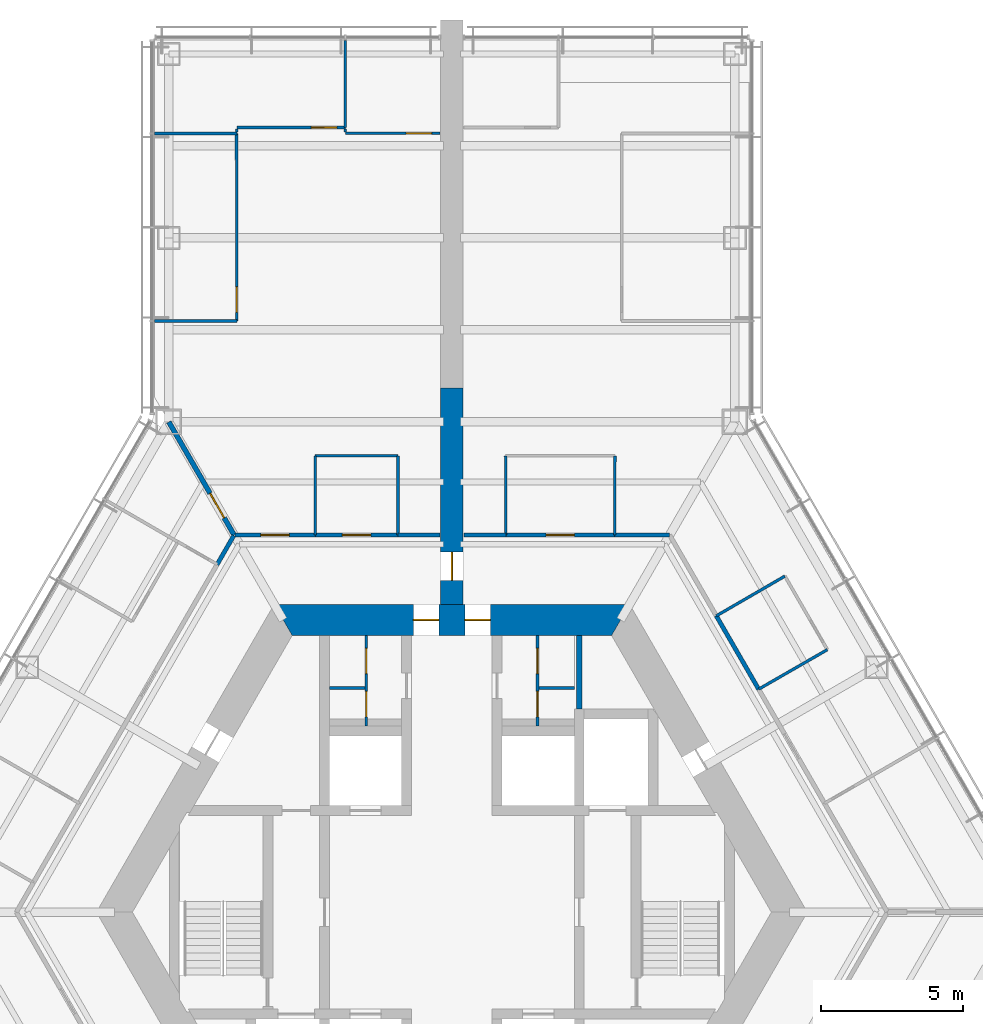
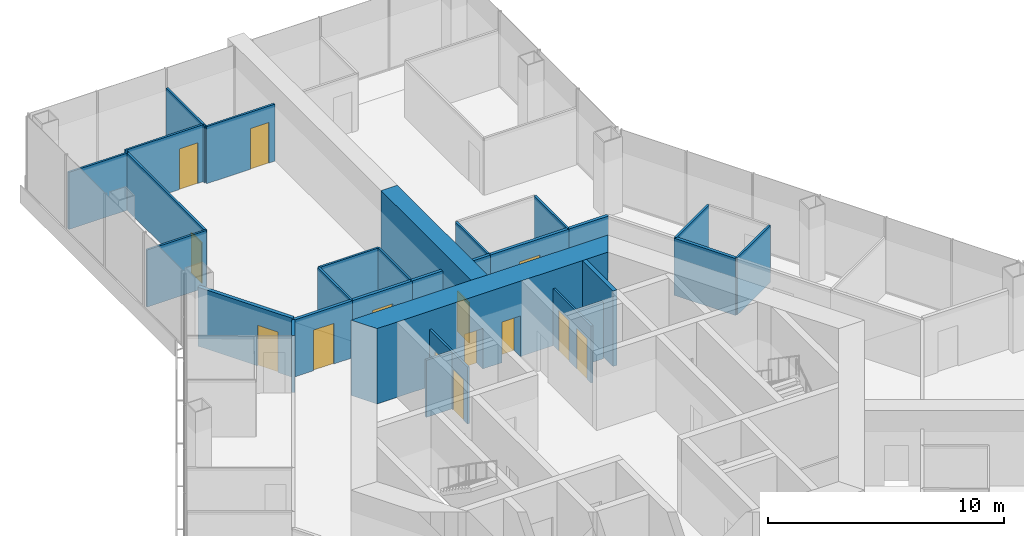
# One storey, part 15 of 19: 31 walls, 14 doors, 14 openings.
"""IFC4 building model written with IfcOpenShell, lengths in metres."""

from ifc_helpers import new_model, si_unit, direction, frame, frame_2d, origin, place, context, subcontext, project, spatial, polyline, rectangle, outline, extrude, material, layer, layer_set, type_object, element, fill, save


model = new_model("IFC4")

# Units and contexts
model_context = context("Model", 3, precision=1e-05, world=origin(), true_north=direction((0.0, 1.0)))
body_context = subcontext(model_context, "Body", "Model", "MODEL_VIEW")
ifc_project = project(units=[si_unit("LENGTHUNIT", "METRE"), si_unit("AREAUNIT", "SQUARE_METRE"), si_unit("VOLUMEUNIT", "CUBIC_METRE"), si_unit("PLANEANGLEUNIT", "RADIAN"), si_unit("MASSUNIT", "GRAM", prefix="KILO")], contexts=[model_context])

# Site, building, storey
site_placement = place(None, origin())
site = spatial("IfcSite", under=ifc_project, at=site_placement, CompositionType="ELEMENT")
building_placement = place(site_placement, origin())
building = spatial("IfcBuilding", under=site, at=building_placement, Name="Kasaneha Research Tower", CompositionType="ELEMENT")
storey_placement = place(building_placement, frame((0.0, 0.0, 84.60009765625)))
storey = spatial("IfcBuildingStorey", under=building, at=storey_placement, Name="L21", CompositionType="ELEMENT", Elevation=84.60009765625)

# Wall, openings, doors
ifc_material_1 = material(Name="Concrete Fc80", Category="concrete")
ifc_layer_1 = layer(ifc_material_1, 1.10009765625)
ifc_layer_set_1 = layer_set([ifc_layer_1], Name="Core wall 1100 Fc80")
wall_type_1 = type_object("IfcWallType", Name="Core wall 1100 Fc80", PredefinedType="SHEAR", material=ifc_layer_set_1)
wall_1_placement = place(storey_placement, frame((5.961181640625, 10.324951171875, 0.0), z_axis=(0.0, 0.0, 1.0), x_axis=(-1.0, 0.0, 0.0)))
wall_1 = element("IfcWall", 1, at=wall_1_placement, inside=storey, type_object=wall_type_1, Name="Core wall 090 L21", PredefinedType="SHEAR", context=body_context, shape_type="SweptSolid", body=[
    extrude(outline(polyline([(-0.317626953125, -0.550048828125), (4.5986328125, -0.550048828125), (5.49853515625, -0.550048828125), (6.423583984375, -0.550048828125), (7.323486328125, -0.550048828125), (12.239990234375, -0.550048828125), (11.604736328125, 0.550048828125), (7.323486328125, 0.550048828125), (6.423583984375, 0.550048828125), (5.49853515625, 0.550048828125), (4.5986328125, 0.550048828125), (0.317626953125, 0.550048828125), (-0.317626953125, -0.550048828125)])), origin(), (0.0, 0.0, 1.0), 3.89990234375),
])
opening_1_placement = place(wall_1_placement, frame((6.423583984375, 0.0, 0.0)))
opening_1 = element("IfcOpeningElement", 2, at=opening_1_placement, cuts=wall_1, Name="Opening L21-D01", PredefinedType="OPENING", context=body_context, shape_type="SweptSolid", body=[
    extrude(rectangle(XDim=0.89990234375, YDim=2.10009765625, at=frame_2d((0.449951171875, 1.050048828125))), frame((0.0, 0.56005859375, 0.0), z_axis=(0.0, -1.0, 0.0), x_axis=(1.0, 0.0, 0.0)), (0.0, 0.0, 1.0), 1.1201171875),
])
opening_2_placement = place(wall_1_placement, frame((4.5986328125, 0.0, 0.0)))
opening_2 = element("IfcOpeningElement", 3, at=opening_2_placement, cuts=wall_1, Name="Opening L21-D02", PredefinedType="OPENING", context=body_context, shape_type="SweptSolid", body=[
    extrude(rectangle(XDim=0.89990234375, YDim=2.10009765625, at=frame_2d((0.449951171875, 1.050048828125))), frame((0.0, 0.56005859375, 0.0), z_axis=(0.0, -1.0, 0.0), x_axis=(1.0, 0.0, 0.0)), (0.0, 0.0, 1.0), 1.1201171875),
])
ifc_material_2 = material(Name="Steel", Category="steel")
door_type_1 = type_object("IfcDoorType", Name="Toilet door FD20 900x2100", OperationType="NOTDEFINED", PredefinedType="DOOR", material=ifc_material_2)
door_1_placement = place(opening_1_placement, origin())
door_1 = element("IfcDoor", 4, at=door_1_placement, inside=storey, type_object=door_type_1, Name="Core door north 1 L21-D01", OperationType="SINGLE_SWING_RIGHT", OverallHeight=2.10009765625, OverallWidth=0.89990234375, PredefinedType="DOOR", context=body_context, shape_type="SweptSolid", body=[
    extrude(rectangle(XDim=0.89990234375, YDim=2.10009765625, at=frame_2d((0.449951171875, 1.050048828125))), frame((0.0, 0.02490234375, 0.0), z_axis=(0.0, -1.0, 0.0), x_axis=(1.0, 0.0, 0.0)), (0.0, 0.0, 1.0), 0.050048828125),
])
fill(opening_1, door_1)
door_2_placement = place(opening_2_placement, origin())
door_2 = element("IfcDoor", 5, at=door_2_placement, inside=storey, type_object=door_type_1, Name="Core door north 2 L21-D02", OperationType="SINGLE_SWING_LEFT", OverallHeight=2.10009765625, OverallWidth=0.89990234375, PredefinedType="DOOR", context=body_context, shape_type="SweptSolid", body=[
    extrude(rectangle(XDim=0.89990234375, YDim=2.10009765625, at=frame_2d((0.449951171875, 1.050048828125))), frame((0.0, 0.02490234375, 0.0), z_axis=(0.0, -1.0, 0.0), x_axis=(1.0, 0.0, 0.0)), (0.0, 0.0, 1.0), 0.050048828125),
])
fill(opening_2, door_2)

ifc_material_3 = material(Name="Gypsum board on steel studs, one layer each side", Category="steel")
ifc_layer_2 = layer(ifc_material_3, 0.10009765625)
ifc_layer_set_2 = layer_set([ifc_layer_2], Name="Office partition 100")
wall_type_2 = type_object("IfcWallType", Name="Office partition 100", PredefinedType="PARTITIONING", material=ifc_layer_set_2)
wall_2_placement = place(storey_placement, frame((-3.02490234375, 6.574951171875, 0.0), z_axis=(0.0, 0.0, 1.0), x_axis=(0.0, 1.0, 0.0)))
wall_2 = element("IfcWall", 6, at=wall_2_placement, inside=storey, type_object=wall_type_2, Name="Office partition TBM1 L21", PredefinedType="PARTITIONING", context=body_context, shape_type="SweptSolid", body=[
    extrude(rectangle(XDim=3.199951171875, YDim=0.10009765625, at=frame_2d((1.60009765625, 0.0))), origin(), (0.0, 0.0, 1.0), 2.949951171875),
])
opening_3_placement = place(wall_2_placement, frame((1.85009765625, 0.0, 0.0)))
opening_3 = element("IfcOpeningElement", 7, at=opening_3_placement, cuts=wall_2, Name="Opening L21-D20", PredefinedType="OPENING", context=body_context, shape_type="SweptSolid", body=[
    extrude(rectangle(XDim=0.89990234375, YDim=2.10009765625, at=frame_2d((0.449951171875, 1.050048828125))), frame((0.0, 0.06005859375, 0.0), z_axis=(0.0, -1.0, 0.0), x_axis=(1.0, 0.0, 0.0)), (0.0, 0.0, 1.0), 0.1201171875),
])
opening_4_placement = place(wall_2_placement, frame((0.324951171875, 0.0, 0.0)))
opening_4 = element("IfcOpeningElement", 8, at=opening_4_placement, cuts=wall_2, Name="Opening L21-D21", PredefinedType="OPENING", context=body_context, shape_type="SweptSolid", body=[
    extrude(rectangle(XDim=0.89990234375, YDim=2.10009765625, at=frame_2d((0.449951171875, 1.050048828125))), frame((0.0, 0.06005859375, 0.0), z_axis=(0.0, -1.0, 0.0), x_axis=(1.0, 0.0, 0.0)), (0.0, 0.0, 1.0), 0.1201171875),
])
ifc_material_4 = material(Name="Steel", Category="steel")
door_type_2 = type_object("IfcDoorType", Name="Toilet lobby door FD30 900x2100", OperationType="NOTDEFINED", PredefinedType="DOOR", material=ifc_material_4)
door_3_placement = place(opening_3_placement, origin())
door_3 = element("IfcDoor", 9, at=door_3_placement, inside=storey, type_object=door_type_2, Name="Men's WC door L21-D20", OperationType="SINGLE_SWING_RIGHT", OverallHeight=2.10009765625, OverallWidth=0.89990234375, PredefinedType="DOOR", context=body_context, shape_type="SweptSolid", body=[
    extrude(rectangle(XDim=0.89990234375, YDim=2.10009765625, at=frame_2d((0.449951171875, 1.050048828125))), frame((0.0, 0.02490234375, 0.0), z_axis=(0.0, -1.0, 0.0), x_axis=(1.0, 0.0, 0.0)), (0.0, 0.0, 1.0), 0.050048828125),
])
fill(opening_3, door_3)
door_4_placement = place(opening_4_placement, origin())
door_4 = element("IfcDoor", 10, at=door_4_placement, inside=storey, type_object=door_type_2, Name="Parents' room door L21-D21", OperationType="SINGLE_SWING_RIGHT", OverallHeight=2.10009765625, OverallWidth=0.89990234375, PredefinedType="DOOR", context=body_context, shape_type="SweptSolid", body=[
    extrude(rectangle(XDim=0.89990234375, YDim=2.10009765625, at=frame_2d((0.449951171875, 1.050048828125))), frame((0.0, 0.02490234375, 0.0), z_axis=(0.0, -1.0, 0.0), x_axis=(1.0, 0.0, 0.0)), (0.0, 0.0, 1.0), 0.050048828125),
])
fill(opening_4, door_4)

# Wall
wall_3_placement = place(storey_placement, frame((-3.074951171875, 7.925048828125, 0.0), z_axis=(0.0, 0.0, 1.0), x_axis=(-1.0, 0.0, 0.0)))
element("IfcWall", 11, at=wall_3_placement, inside=storey, type_object=wall_type_2, Name="Office partition TBM2 L21", PredefinedType="PARTITIONING", context=body_context, shape_type="SweptSolid", body=[
    extrude(rectangle(XDim=1.25, YDim=0.10009765625, at=frame_2d((0.625, 0.0))), origin(), (0.0, 0.0, 1.0), 2.949951171875),
])

# Wall, openings, doors
wall_4_placement = place(storey_placement, frame((3.02490234375, 6.574951171875, 0.0), z_axis=(0.0, 0.0, 1.0), x_axis=(0.0, 1.0, 0.0)))
wall_4 = element("IfcWall", 12, at=wall_4_placement, inside=storey, type_object=wall_type_2, Name="Office partition TBF1 L21", PredefinedType="PARTITIONING", context=body_context, shape_type="SweptSolid", body=[
    extrude(rectangle(XDim=3.199951171875, YDim=0.10009765625, at=frame_2d((1.60009765625, 0.0))), origin(), (0.0, 0.0, 1.0), 2.949951171875),
])
opening_5_placement = place(wall_4_placement, frame((1.85009765625, 0.0, 0.0)))
opening_5 = element("IfcOpeningElement", 13, at=opening_5_placement, cuts=wall_4, Name="Opening L21-D22", PredefinedType="OPENING", context=body_context, shape_type="SweptSolid", body=[
    extrude(rectangle(XDim=0.89990234375, YDim=2.10009765625, at=frame_2d((0.449951171875, 1.050048828125))), frame((0.0, 0.06005859375, 0.0), z_axis=(0.0, -1.0, 0.0), x_axis=(1.0, 0.0, 0.0)), (0.0, 0.0, 1.0), 0.1201171875),
])
opening_6_placement = place(wall_4_placement, frame((0.324951171875, 0.0, 0.0)))
opening_6 = element("IfcOpeningElement", 14, at=opening_6_placement, cuts=wall_4, Name="Opening L21-D23", PredefinedType="OPENING", context=body_context, shape_type="SweptSolid", body=[
    extrude(rectangle(XDim=0.89990234375, YDim=2.10009765625, at=frame_2d((0.449951171875, 1.050048828125))), frame((0.0, 0.06005859375, 0.0), z_axis=(0.0, -1.0, 0.0), x_axis=(1.0, 0.0, 0.0)), (0.0, 0.0, 1.0), 0.1201171875),
])
door_5_placement = place(opening_5_placement, origin())
door_5 = element("IfcDoor", 15, at=door_5_placement, inside=storey, type_object=door_type_2, Name="Women's WC door L21-D22", OperationType="SINGLE_SWING_RIGHT", OverallHeight=2.10009765625, OverallWidth=0.89990234375, PredefinedType="DOOR", context=body_context, shape_type="SweptSolid", body=[
    extrude(rectangle(XDim=0.89990234375, YDim=2.10009765625, at=frame_2d((0.449951171875, 1.050048828125))), frame((0.0, 0.02490234375, 0.0), z_axis=(0.0, -1.0, 0.0), x_axis=(1.0, 0.0, 0.0)), (0.0, 0.0, 1.0), 0.050048828125),
])
fill(opening_5, door_5)
door_6_placement = place(opening_6_placement, origin())
door_6 = element("IfcDoor", 16, at=door_6_placement, inside=storey, type_object=door_type_2, Name="Cleaner's store door L21-D23", OperationType="SINGLE_SWING_RIGHT", OverallHeight=2.10009765625, OverallWidth=0.89990234375, PredefinedType="DOOR", context=body_context, shape_type="SweptSolid", body=[
    extrude(rectangle(XDim=0.89990234375, YDim=2.10009765625, at=frame_2d((0.449951171875, 1.050048828125))), frame((0.0, 0.02490234375, 0.0), z_axis=(0.0, -1.0, 0.0), x_axis=(1.0, 0.0, 0.0)), (0.0, 0.0, 1.0), 0.050048828125),
])
fill(opening_6, door_6)

# Walls
wall_5_placement = place(storey_placement, frame((3.074951171875, 7.925048828125, 0.0), z_axis=(0.0, 0.0, 1.0), x_axis=(1.0, 0.0, 0.0)))
element("IfcWall", 17, at=wall_5_placement, inside=storey, type_object=wall_type_2, Name="Office partition TBF2 L21", PredefinedType="PARTITIONING", context=body_context, shape_type="SweptSolid", body=[
    extrude(rectangle(XDim=1.25, YDim=0.10009765625, at=frame_2d((0.625, 0.0))), origin(), (0.0, 0.0, 1.0), 2.949951171875),
])
for number, where, z_axis, x_axis, name in (
    (18, (1.904541015625, 13.324951171875, 0.0), (0.0, 0.0, 1.0), (-0.001656637364, 0.999998627775, 0.0), "Office partition FAE09 L21"),
    (19, (5.757080078125, 16.125, 0.0), (0.0, 0.0, 1.0), (-0.001656637364, -0.999998627775, 0.0), "Office partition FAE10 L21"),
    (20, (9.342041015625, 10.468994140625, 0.0), (0.0, 0.0, 1.0), (0.865195372903, 0.501434907746, 0.0), "Office partition FAE11 L21"),
):
    element("IfcWall", number, at=place(storey_placement, frame(where, z_axis=z_axis, x_axis=x_axis)), inside=storey, type_object=wall_type_2, Name=name, PredefinedType="PARTITIONING", context=body_context, shape_type="SweptSolid", body=[
        extrude(rectangle(XDim=2.800048828125, YDim=0.10009765625, at=frame_2d((1.39990234375, 0.0))), origin(), (0.0, 0.0, 1.0), 2.949951171875),
    ])
wall_6_placement = place(storey_placement, frame((13.2646484375, 9.27490234375, 0.0), z_axis=(0.0, 0.0, 1.0), x_axis=(-0.866833758708, -0.498597267105, 0.0)))
element("IfcWall", 21, at=wall_6_placement, inside=storey, type_object=wall_type_2, Name="Office partition FAE13 L21", PredefinedType="PARTITIONING", context=body_context, shape_type="SweptSolid", body=[
    extrude(rectangle(XDim=2.7998046875, YDim=0.10009765625, at=frame_2d((1.39990234375, 0.0))), origin(), (0.0, 0.0, 1.0), 2.949951171875),
])
wall_7_placement = place(storey_placement, frame((-4.8291015625, 16.125, 0.0), z_axis=(0.0, 0.0, 1.0), x_axis=(1.0, 0.0, 0.0)))
element("IfcWall", 22, at=wall_7_placement, inside=storey, type_object=wall_type_2, Name="Office partition FAW04 L21", PredefinedType="PARTITIONING", context=body_context, shape_type="SweptSolid", body=[
    extrude(rectangle(XDim=2.92919921875, YDim=0.10009765625, at=frame_2d((1.464599609375, 0.0))), origin(), (0.0, 0.0, 1.0), 2.949951171875),
])
for number, where, z_axis, x_axis, name in (
    (23, (-4.824462890625, 13.324951171875, 0.0), (0.0, 0.0, 1.0), (-0.001656637364, 0.999998627775, 0.0), "Office partition FAW05 L21"),
    (24, (-1.89990234375, 16.125, 0.0), (0.0, 0.0, 1.0), (-0.001656637364, -0.999998627775, 0.0), "Office partition FAW06 L21"),
):
    element("IfcWall", number, at=place(storey_placement, frame(where, z_axis=z_axis, x_axis=x_axis)), inside=storey, type_object=wall_type_2, Name=name, PredefinedType="PARTITIONING", context=body_context, shape_type="SweptSolid", body=[
        extrude(rectangle(XDim=2.800048828125, YDim=0.10009765625, at=frame_2d((1.39990234375, 0.0))), origin(), (0.0, 0.0, 1.0), 2.949951171875),
    ])
wall_8_placement = place(storey_placement, frame((-10.5, 27.5107421875, 0.0), z_axis=(0.0, 0.0, 1.0), x_axis=(0.999998125274, -0.001936349291, 0.0)))
element("IfcWall", 25, at=wall_8_placement, inside=storey, type_object=wall_type_2, Name="Office partition FAW07 L21", PredefinedType="PARTITIONING", context=body_context, shape_type="SweptSolid", body=[
    extrude(rectangle(XDim=2.89990234375, YDim=0.10009765625, at=frame_2d((1.449951171875, 0.0))), origin(), (0.0, 0.0, 1.0), 2.949951171875),
])

# Wall, opening, door
wall_9_placement = place(storey_placement, frame((-7.60400390625, 27.5107421875, 0.0), z_axis=(0.0, 0.0, 1.0), x_axis=(0.000590100952, -0.99999982589, 0.0)))
wall_9 = element("IfcWall", 26, at=wall_9_placement, inside=storey, type_object=wall_type_2, Name="Office partition FAW08 L21", PredefinedType="PARTITIONING", context=body_context, shape_type="SweptSolid", body=[
    extrude(rectangle(XDim=6.61962890625, YDim=0.10009765625, at=frame_2d((3.309814453125, 0.0))), origin(), (0.0, 0.0, 1.0), 2.949951171875),
])
opening_7_placement = place(wall_9_placement, frame((5.419677734375, 0.0, 0.0)))
opening_7 = element("IfcOpeningElement", 27, at=opening_7_placement, cuts=wall_9, Name="Opening L21-D36", PredefinedType="OPENING", context=body_context, shape_type="SweptSolid", body=[
    extrude(rectangle(XDim=0.89990234375, YDim=2.10009765625, at=frame_2d((0.449951171875, 1.050048828125))), frame((0.0, 0.06005859375, 0.0), z_axis=(0.0, -1.0, 0.0), x_axis=(1.0, 0.0, 0.0)), (0.0, 0.0, 1.0), 0.1201171875),
])
ifc_material_5 = material(Name="Timber veneer", Category="wood")
door_type_3 = type_object("IfcDoorType", Name="Office door 900x2100", OperationType="SINGLE_SWING_LEFT", PredefinedType="DOOR", material=ifc_material_5)
door_7_placement = place(opening_7_placement, origin())
door_7 = element("IfcDoor", 28, at=door_7_placement, inside=storey, type_object=door_type_3, Name="Manager's office door L21-D36", OperationType="SINGLE_SWING_RIGHT", OverallHeight=2.10009765625, OverallWidth=0.89990234375, PredefinedType="DOOR", context=body_context, shape_type="SweptSolid", body=[
    extrude(rectangle(XDim=0.89990234375, YDim=2.10009765625, at=frame_2d((0.449951171875, 1.050048828125))), frame((0.0, 0.02490234375, 0.0), z_axis=(0.0, -1.0, 0.0), x_axis=(1.0, 0.0, 0.0)), (0.0, 0.0, 1.0), 0.050048828125),
])
fill(opening_7, door_7)

# Walls
wall_10_placement = place(storey_placement, frame((-7.60009765625, 20.89111328125, 0.0), z_axis=(0.0, 0.0, 1.0), x_axis=(-1.0, 0.0, 0.0)))
element("IfcWall", 29, at=wall_10_placement, inside=storey, type_object=wall_type_2, Name="Office partition FAW09 L21", PredefinedType="PARTITIONING", context=body_context, shape_type="SweptSolid", body=[
    extrude(rectangle(XDim=2.89990234375, YDim=0.10009765625, at=frame_2d((1.449951171875, 0.0))), origin(), (0.0, 0.0, 1.0), 2.949951171875),
])
wall_11_placement = place(storey_placement, frame((-3.7666015625, 27.715576171875, 0.0), z_axis=(0.0, 0.0, 1.0), x_axis=(0.0, 1.0, 0.0)))
element("IfcWall", 30, at=wall_11_placement, inside=storey, type_object=wall_type_2, Name="Office partition FAW10 L21", PredefinedType="PARTITIONING", context=body_context, shape_type="SweptSolid", body=[
    extrude(rectangle(XDim=3.0849609375, YDim=0.10009765625, at=frame_2d((1.54248046875, 0.0))), origin(), (0.0, 0.0, 1.0), 2.949951171875),
])

# Wall, opening, door
wall_12_placement = place(storey_placement, frame((-0.419921875, 27.5205078125, 0.0), z_axis=(0.0, 0.0, 1.0), x_axis=(-1.0, 0.0, 0.0)))
wall_12 = element("IfcWall", 31, at=wall_12_placement, inside=storey, type_object=wall_type_2, Name="Office partition FAW11 L21", PredefinedType="PARTITIONING", context=body_context, shape_type="SweptSolid", body=[
    extrude(rectangle(XDim=3.3466796875, YDim=0.10009765625, at=frame_2d((1.67333984375, 0.0))), origin(), (0.0, 0.0, 1.0), 2.949951171875),
])
opening_8_placement = place(wall_12_placement, frame((0.300048828125, 0.0, 0.0)))
opening_8 = element("IfcOpeningElement", 32, at=opening_8_placement, cuts=wall_12, Name="Opening L21-D37", PredefinedType="OPENING", context=body_context, shape_type="SweptSolid", body=[
    extrude(rectangle(XDim=0.89990234375, YDim=2.10009765625, at=frame_2d((0.449951171875, 1.050048828125))), frame((0.0, 0.06005859375, 0.0), z_axis=(0.0, -1.0, 0.0), x_axis=(1.0, 0.0, 0.0)), (0.0, 0.0, 1.0), 0.1201171875),
])
door_8_placement = place(opening_8_placement, origin())
door_8 = element("IfcDoor", 33, at=door_8_placement, inside=storey, type_object=door_type_3, Name="Manager's office door L21-D37", OperationType="SINGLE_SWING_LEFT", OverallHeight=2.10009765625, OverallWidth=0.89990234375, PredefinedType="DOOR", context=body_context, shape_type="SweptSolid", body=[
    extrude(rectangle(XDim=0.89990234375, YDim=2.10009765625, at=frame_2d((0.449951171875, 1.050048828125))), frame((0.0, 0.02490234375, 0.0), z_axis=(0.0, -1.0, 0.0), x_axis=(1.0, 0.0, 0.0)), (0.0, 0.0, 1.0), 0.050048828125),
])
fill(opening_8, door_8)

wall_13_placement = place(storey_placement, frame((-3.7666015625, 27.72509765625, 0.0), z_axis=(0.0, 0.0, 1.0), x_axis=(-0.999998926662, -0.001465153224, 0.0)))
wall_13 = element("IfcWall", 34, at=wall_13_placement, inside=storey, type_object=wall_type_2, Name="Office partition FAW12 L21", PredefinedType="PARTITIONING", context=body_context, shape_type="SweptSolid", body=[
    extrude(rectangle(XDim=3.83251953125, YDim=0.10009765625, at=frame_2d((1.916259765625, 0.0))), origin(), (0.0, 0.0, 1.0), 2.949951171875),
])
opening_9_placement = place(wall_13_placement, frame((0.300048828125, 0.0, 0.0)))
opening_9 = element("IfcOpeningElement", 35, at=opening_9_placement, cuts=wall_13, Name="Opening L21-D38", PredefinedType="OPENING", context=body_context, shape_type="SweptSolid", body=[
    extrude(rectangle(XDim=0.89990234375, YDim=2.10009765625, at=frame_2d((0.449951171875, 1.050048828125))), frame((0.0, 0.06005859375, 0.0), z_axis=(0.0, -1.0, 0.0), x_axis=(1.0, 0.0, 0.0)), (0.0, 0.0, 1.0), 0.1201171875),
])
door_9_placement = place(opening_9_placement, origin())
door_9 = element("IfcDoor", 36, at=door_9_placement, inside=storey, type_object=door_type_3, Name="Workroom door L21-D38", OperationType="SINGLE_SWING_LEFT", OverallHeight=2.10009765625, OverallWidth=0.89990234375, PredefinedType="DOOR", context=body_context, shape_type="SweptSolid", body=[
    extrude(rectangle(XDim=0.89990234375, YDim=2.10009765625, at=frame_2d((0.449951171875, 1.050048828125))), frame((0.0, 0.02490234375, 0.0), z_axis=(0.0, -1.0, 0.0), x_axis=(1.0, 0.0, 0.0)), (0.0, 0.0, 1.0), 0.050048828125),
])
fill(opening_9, door_9)

# Walls
wall_14_placement = place(storey_placement, frame((-3.766845703125, 27.570556640625, 0.0), z_axis=(0.0, 0.0, 1.0), x_axis=(0.0, 1.0, 0.0)))
element("IfcWall", 37, at=wall_14_placement, inside=storey, type_object=wall_type_2, Name="Office partition closer PT5 L21", PredefinedType="PARTITIONING", context=body_context, shape_type="SweptSolid", body=[
    extrude(rectangle(XDim=0.1044921875, YDim=0.10009765625, at=frame_2d((0.05224609375, 0.0))), origin(), (0.0, 0.0, 1.0), 2.949951171875),
])
wall_15_placement = place(storey_placement, frame((-7.599365234375, 27.66943359375, 0.0), z_axis=(0.0, 0.0, 1.0), x_axis=(-0.004273465251, -0.999990868706, 0.0)))
element("IfcWall", 38, at=wall_15_placement, inside=storey, type_object=wall_type_2, Name="Office partition closer PT5 L21", PredefinedType="PARTITIONING", context=body_context, shape_type="SweptSolid", body=[
    extrude(rectangle(XDim=0.1142578125, YDim=0.10009765625, at=frame_2d((0.05712890625, 0.0))), origin(), (0.0, 0.0, 1.0), 2.949951171875),
])
ifc_material_6 = material(Name="Concrete block", Category="concrete")
ifc_layer_3 = layer(ifc_material_6, 0.199951171875)
ifc_layer_set_3 = layer_set([ifc_layer_3], Name="Riser enclosure wall 200")
wall_type_3 = type_object("IfcWallType", Name="Riser enclosure wall 200", PredefinedType="STANDARD", material=ifc_layer_set_3)
wall_16_placement = place(storey_placement, frame((4.5, 7.175048828125, 0.0), z_axis=(0.0, 0.0, 1.0), x_axis=(0.0, 1.0, 0.0)))
element("IfcWall", 39, at=wall_16_placement, inside=storey, type_object=wall_type_3, Name="Riser enclosure wall L21", PredefinedType="STANDARD", context=body_context, shape_type="SweptSolid", body=[
    extrude(rectangle(XDim=2.599853515625, YDim=0.199951171875, at=frame_2d((1.2998046875, 0.0))), origin(), (0.0, 0.0, 1.0), 3.89990234375),
])

# Wall, opening, door
ifc_material_7 = material(Name="Concrete Fc80", Category="concrete")
ifc_layer_4 = layer(ifc_material_7, 0.800048828125)
ifc_layer_set_4 = layer_set([ifc_layer_4], Name="Spine wall 800 Fc80")
wall_type_4 = type_object("IfcWallType", Name="Spine wall 800 Fc80", PredefinedType="SHEAR", material=ifc_layer_set_4)
wall_17_placement = place(storey_placement, frame((0.0, 10.875, 0.0), z_axis=(0.0, 0.0, 1.0), x_axis=(0.0, 1.0, 0.0)))
wall_17 = element("IfcWall", 40, at=wall_17_placement, inside=storey, type_object=wall_type_4, Name="Spine wall A L21", PredefinedType="SHEAR", context=body_context, shape_type="SweptSolid", body=[
    extrude(rectangle(XDim=7.6455078125, YDim=0.800048828125, at=frame_2d((3.82275390625, 0.0))), origin(), (0.0, 0.0, 1.0), 3.89990234375),
])
opening_10_placement = place(wall_17_placement, frame((0.85009765625, 0.0, 0.0)))
opening_10 = element("IfcOpeningElement", 41, at=opening_10_placement, cuts=wall_17, Name="Opening L21-D17", PredefinedType="OPENING", context=body_context, shape_type="SweptSolid", body=[
    extrude(rectangle(XDim=1.0, YDim=2.10009765625, at=frame_2d((0.5, 1.050048828125))), frame((0.0, 0.41015625, 0.0), z_axis=(0.0, -1.0, 0.0), x_axis=(1.0, 0.0, 0.0)), (0.0, 0.0, 1.0), 0.820068359375),
])
ifc_material_8 = material(Name="Steel", Category="steel")
door_type_4 = type_object("IfcDoorType", Name="Specified fire door FD60 1000x2100", OperationType="NOTDEFINED", PredefinedType="DOOR", material=ifc_material_8)
door_10_placement = place(opening_10_placement, origin())
door_10 = element("IfcDoor", 42, at=door_10_placement, inside=storey, type_object=door_type_4, Name="Spine doorway A L21-D17", OperationType="SINGLE_SWING_LEFT", OverallHeight=2.10009765625, OverallWidth=1.0, PredefinedType="DOOR", context=body_context, shape_type="SweptSolid", body=[
    extrude(rectangle(XDim=1.0, YDim=2.10009765625, at=frame_2d((0.5, 1.050048828125))), frame((0.0, 0.02490234375, 0.0), z_axis=(0.0, -1.0, 0.0), x_axis=(1.0, 0.0, 0.0)), (0.0, 0.0, 1.0), 0.050048828125),
])
fill(opening_10, door_10)

ifc_material_9 = material(Name="Gypsum board on steel studs, two layers each side", Category="steel")
ifc_layer_5 = layer(ifc_material_9, 0.14990234375)
ifc_layer_set_5 = layer_set([ifc_layer_5], Name="Suite partition 150")
wall_type_5 = type_object("IfcWallType", Name="Suite partition 150", PredefinedType="PARTITIONING", material=ifc_layer_set_5)
wall_18_placement = place(storey_placement, frame((1.89501953125, 13.324951171875, 0.0), z_axis=(0.0, 0.0, 1.0), x_axis=(1.0, 0.0, 0.0)))
wall_18 = element("IfcWall", 43, at=wall_18_placement, inside=storey, type_object=wall_type_5, Name="Suite partition FAE01 L21", PredefinedType="PARTITIONING", context=body_context, shape_type="SweptSolid", body=[
    extrude(rectangle(XDim=3.866943359375, YDim=0.14990234375, at=frame_2d((1.93359375, 0.0))), origin(), (0.0, 0.0, 1.0), 2.949951171875),
])
opening_11_placement = place(wall_18_placement, frame((1.43359375, 0.0, 0.0)))
opening_11 = element("IfcOpeningElement", 44, at=opening_11_placement, cuts=wall_18, Name="Opening L21-D28", PredefinedType="OPENING", context=body_context, shape_type="SweptSolid", body=[
    extrude(rectangle(XDim=1.0, YDim=2.10009765625, at=frame_2d((0.5, 1.050048828125))), frame((0.0, 0.0849609375, 0.0), z_axis=(0.0, -1.0, 0.0), x_axis=(1.0, 0.0, 0.0)), (0.0, 0.0, 1.0), 0.169921875),
])
ifc_material_10 = material(Name="Steel", Category="steel")
door_type_5 = type_object("IfcDoorType", Name="Suite entrance door FD60 1000x2100", OperationType="NOTDEFINED", PredefinedType="DOOR", material=ifc_material_10)
door_11_placement = place(opening_11_placement, origin())
door_11 = element("IfcDoor", 45, at=door_11_placement, inside=storey, type_object=door_type_5, Name="Suite entrance door L21-D28", OperationType="SINGLE_SWING_LEFT", OverallHeight=2.10009765625, OverallWidth=1.0, PredefinedType="DOOR", context=body_context, shape_type="SweptSolid", body=[
    extrude(rectangle(XDim=1.0, YDim=2.10009765625, at=frame_2d((0.5, 1.050048828125))), frame((0.0, 0.02490234375, 0.0), z_axis=(0.0, -1.0, 0.0), x_axis=(1.0, 0.0, 0.0)), (0.0, 0.0, 1.0), 0.050048828125),
])
fill(opening_11, door_11)

# Walls
wall_19_placement = place(storey_placement, frame((9.33740234375, 10.477294921875, 0.0), z_axis=(0.0, 0.0, 1.0), x_axis=(0.499977562641, -0.866038357612, 0.0)))
element("IfcWall", 46, at=wall_19_placement, inside=storey, type_object=wall_type_5, Name="Suite partition FAE02 L21", PredefinedType="PARTITIONING", context=body_context, shape_type="SweptSolid", body=[
    extrude(rectangle(XDim=3.010009765625, YDim=0.14990234375, at=frame_2d((1.5048828125, 0.0))), origin(), (0.0, 0.0, 1.0), 2.949951171875),
])
wall_20_placement = place(storey_placement, frame((0.419921875, 13.324951171875, 0.0), z_axis=(0.0, 0.0, 1.0), x_axis=(1.0, 0.0, 0.0)))
element("IfcWall", 47, at=wall_20_placement, inside=storey, type_object=wall_type_5, Name="Suite partition FAE04 L21", PredefinedType="PARTITIONING", context=body_context, shape_type="SweptSolid", body=[
    extrude(rectangle(XDim=1.484619140625, YDim=0.14990234375, at=frame_2d((0.7421875, 0.0))), origin(), (0.0, 0.0, 1.0), 2.949951171875),
])
wall_21_placement = place(storey_placement, frame((5.75244140625, 13.324951171875, 0.0), z_axis=(0.0, 0.0, 1.0), x_axis=(1.0, 0.0, 0.0)))
element("IfcWall", 48, at=wall_21_placement, inside=storey, type_object=wall_type_5, Name="Suite partition FAE05 L21", PredefinedType="PARTITIONING", context=body_context, shape_type="SweptSolid", body=[
    extrude(rectangle(XDim=1.940673828125, YDim=0.14990234375, at=frame_2d((0.97021484375, 0.0))), origin(), (0.0, 0.0, 1.0), 2.949951171875),
])

# Wall, opening, door
wall_22_placement = place(storey_placement, frame((-4.833984375, 13.324951171875, 0.0), z_axis=(0.0, 0.0, 1.0), x_axis=(1.0, 0.0, 0.0)))
wall_22 = element("IfcWall", 49, at=wall_22_placement, inside=storey, type_object=wall_type_5, Name="Suite partition FAW01 L21", PredefinedType="PARTITIONING", context=body_context, shape_type="SweptSolid", body=[
    extrude(rectangle(XDim=2.93896484375, YDim=0.14990234375, at=frame_2d((1.469482421875, 0.0))), origin(), (0.0, 0.0, 1.0), 2.949951171875),
])
opening_12_placement = place(wall_22_placement, frame((0.969482421875, 0.0, 0.0)))
opening_12 = element("IfcOpeningElement", 50, at=opening_12_placement, cuts=wall_22, Name="Opening L21-D34", PredefinedType="OPENING", context=body_context, shape_type="SweptSolid", body=[
    extrude(rectangle(XDim=1.0, YDim=2.10009765625, at=frame_2d((0.5, 1.050048828125))), frame((0.0, 0.0849609375, 0.0), z_axis=(0.0, -1.0, 0.0), x_axis=(1.0, 0.0, 0.0)), (0.0, 0.0, 1.0), 0.169921875),
])
door_12_placement = place(opening_12_placement, origin())
door_12 = element("IfcDoor", 51, at=door_12_placement, inside=storey, type_object=door_type_5, Name="Suite entrance door L21-D34", OperationType="SINGLE_SWING_RIGHT", OverallHeight=2.10009765625, OverallWidth=1.0, PredefinedType="DOOR", context=body_context, shape_type="SweptSolid", body=[
    extrude(rectangle(XDim=1.0, YDim=2.10009765625, at=frame_2d((0.5, 1.050048828125))), frame((0.0, 0.02490234375, 0.0), z_axis=(0.0, -1.0, 0.0), x_axis=(1.0, 0.0, 0.0)), (0.0, 0.0, 1.0), 0.050048828125),
])
fill(opening_12, door_12)

wall_23_placement = place(storey_placement, frame((-7.670166015625, 13.324951171875, 0.0), z_axis=(0.0, 0.0, 1.0), x_axis=(1.0, 0.0, 0.0)))
wall_23 = element("IfcWall", 52, at=wall_23_placement, inside=storey, type_object=wall_type_5, Name="Suite partition FAW02 L21", PredefinedType="PARTITIONING", context=body_context, shape_type="SweptSolid", body=[
    extrude(rectangle(XDim=2.845703125, YDim=0.14990234375, at=frame_2d((1.4228515625, 0.0))), origin(), (0.0, 0.0, 1.0), 2.949951171875),
])
opening_13_placement = place(wall_23_placement, frame((0.9228515625, 0.0, 0.0)))
opening_13 = element("IfcOpeningElement", 53, at=opening_13_placement, cuts=wall_23, Name="Opening L21-D35", PredefinedType="OPENING", context=body_context, shape_type="SweptSolid", body=[
    extrude(rectangle(XDim=1.0, YDim=2.10009765625, at=frame_2d((0.5, 1.050048828125))), frame((0.0, 0.0849609375, 0.0), z_axis=(0.0, -1.0, 0.0), x_axis=(1.0, 0.0, 0.0)), (0.0, 0.0, 1.0), 0.169921875),
])
door_13_placement = place(opening_13_placement, origin())
door_13 = element("IfcDoor", 54, at=door_13_placement, inside=storey, type_object=door_type_5, Name="Suite entrance door L21-D35", OperationType="SINGLE_SWING_LEFT", OverallHeight=2.10009765625, OverallWidth=1.0, PredefinedType="DOOR", context=body_context, shape_type="SweptSolid", body=[
    extrude(rectangle(XDim=1.0, YDim=2.10009765625, at=frame_2d((0.5, 1.050048828125))), frame((0.0, 0.02490234375, 0.0), z_axis=(0.0, -1.0, 0.0), x_axis=(1.0, 0.0, 0.0)), (0.0, 0.0, 1.0), 0.050048828125),
])
fill(opening_13, door_13)

# Walls
wall_24_placement = place(storey_placement, frame((-1.904541015625, 13.324951171875, 0.0), z_axis=(0.0, 0.0, 1.0), x_axis=(1.0, 0.0, 0.0)))
element("IfcWall", 55, at=wall_24_placement, inside=storey, type_object=wall_type_5, Name="Suite partition FAW03 L21", PredefinedType="PARTITIONING", context=body_context, shape_type="SweptSolid", body=[
    extrude(rectangle(XDim=1.484619140625, YDim=0.14990234375, at=frame_2d((0.7421875, 0.0))), origin(), (0.0, 0.0, 1.0), 2.949951171875),
])
wall_25_placement = place(storey_placement, frame((-8.2958984375, 12.281005859375, 0.0), z_axis=(0.0, 0.0, 1.0), x_axis=(0.500091824179, 0.865972382579, 0.0)))
element("IfcWall", 56, at=wall_25_placement, inside=storey, type_object=wall_type_5, Name="Suite partition FBN02 L21", PredefinedType="PARTITIONING", context=body_context, shape_type="SweptSolid", body=[
    extrude(rectangle(XDim=1.182373046875, YDim=0.14990234375, at=frame_2d((0.59130859375, 0.0))), origin(), (0.0, 0.0, 1.0), 2.949951171875),
])

# Wall, opening, door
ifc_material_11 = material(Name="Gypsum board on steel studs, two layers each side", Category="steel")
ifc_layer_6 = layer(ifc_material_11, 0.175048828125)
ifc_layer_set_6 = layer_set([ifc_layer_6], Name="Tenancy fire partition 175")
wall_type_6 = type_object("IfcWallType", Name="Tenancy fire partition 175", PredefinedType="PARTITIONING", material=ifc_layer_set_6)
wall_26_placement = place(storey_placement, frame((-7.693115234375, 13.324951171875, 0.0), z_axis=(0.0, 0.0, 1.0), x_axis=(-0.500003393015, 0.866023444818, 0.0)))
wall_26 = element("IfcWall", 57, at=wall_26_placement, inside=storey, type_object=wall_type_6, Name="Tenancy fire partition T120 L21", PredefinedType="PARTITIONING", context=body_context, shape_type="SweptSolid", body=[
    extrude(rectangle(XDim=4.61376953125, YDim=0.175048828125, at=frame_2d((2.306884765625, 0.0))), origin(), (0.0, 0.0, 1.0), 3.0498046875),
])
opening_14_placement = place(wall_26_placement, frame((0.699951171875, 0.0, 0.0)))
opening_14 = element("IfcOpeningElement", 58, at=opening_14_placement, cuts=wall_26, Name="Opening L21-D26", PredefinedType="OPENING", context=body_context, shape_type="SweptSolid", body=[
    extrude(rectangle(XDim=1.0, YDim=2.10009765625, at=frame_2d((0.5, 1.050048828125))), frame((0.0, 0.09765625, 0.0), z_axis=(0.0, -1.0, 0.0), x_axis=(1.0, 0.0, 0.0)), (0.0, 0.0, 1.0), 0.195068359375),
])
door_14_placement = place(opening_14_placement, origin())
door_14 = element("IfcDoor", 59, at=door_14_placement, inside=storey, type_object=door_type_5, Name="Connecting door L21-D26", OperationType="SINGLE_SWING_LEFT", OverallHeight=2.10009765625, OverallWidth=1.0, PredefinedType="DOOR", context=body_context, shape_type="SweptSolid", body=[
    extrude(rectangle(XDim=1.0, YDim=2.10009765625, at=frame_2d((0.5, 1.050048828125))), frame((0.0, 0.02490234375, 0.0), z_axis=(0.0, -1.0, 0.0), x_axis=(1.0, 0.0, 0.0)), (0.0, 0.0, 1.0), 0.050048828125),
])
fill(opening_14, door_14)

save(model, "model.ifc")
